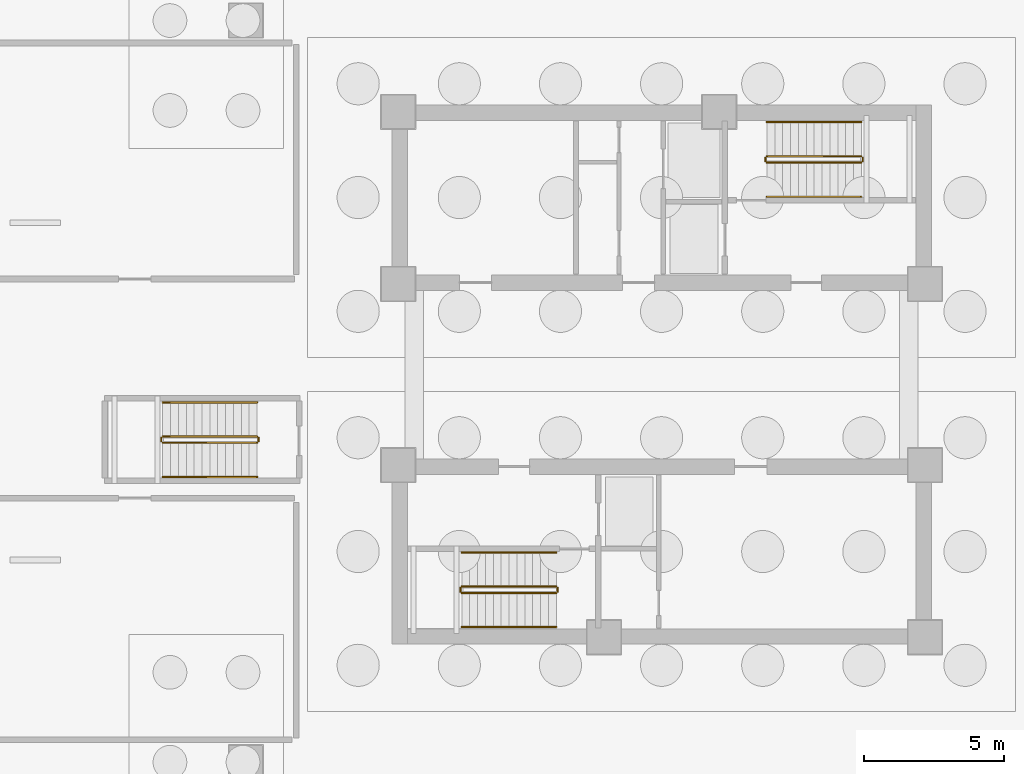
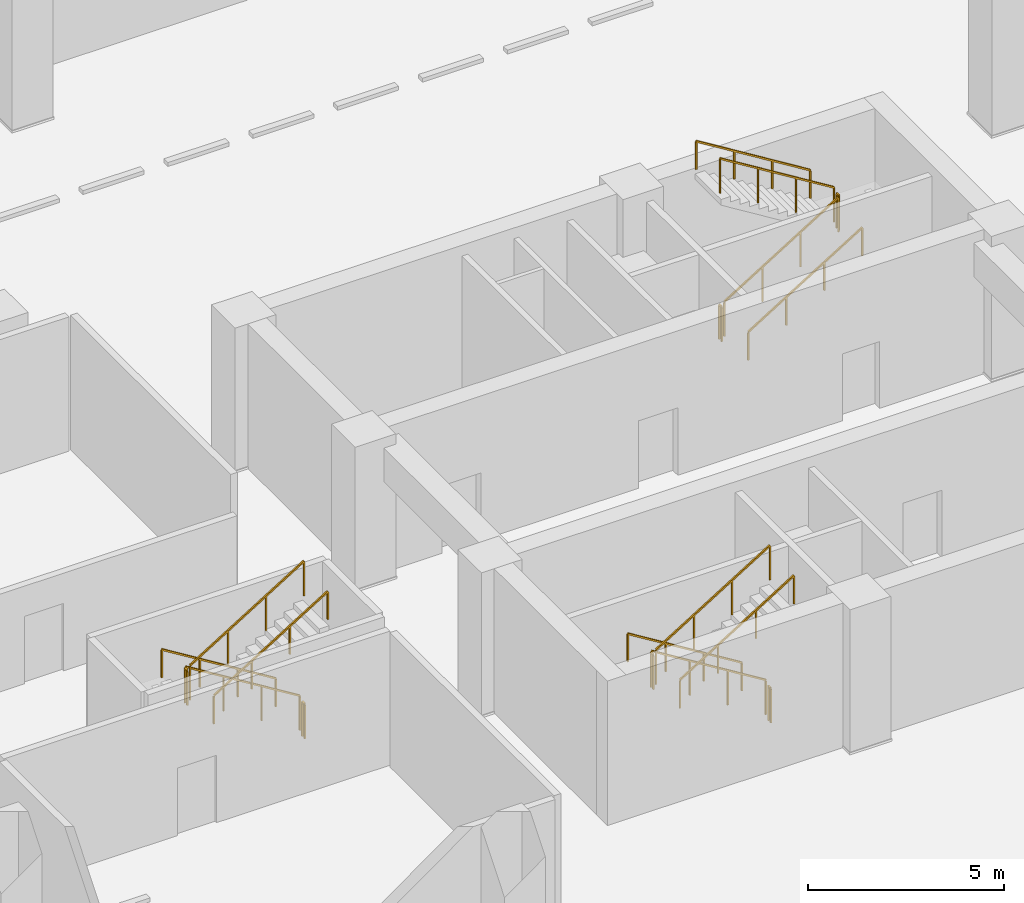
# One storey, part 6 of 8: 18 railings.
"""IFC4 building model written with IfcOpenShell, lengths in metres."""

from ifc_helpers import new_model, si_unit, direction, frame, origin, origin_2d, place, context, subcontext, project, spatial, rectangle, extrude, material, type_object, element, save


model = new_model("IFC4")

# Units and contexts
model_context = context("Model", 3, precision=1e-05, world=origin(), true_north=direction((0.0, 1.0)))
body_context = subcontext(model_context, "Body", "Model", "MODEL_VIEW")
ifc_project = project(units=[si_unit("LENGTHUNIT", "METRE"), si_unit("AREAUNIT", "SQUARE_METRE"), si_unit("VOLUMEUNIT", "CUBIC_METRE"), si_unit("PLANEANGLEUNIT", "RADIAN"), si_unit("MASSUNIT", "GRAM", prefix="KILO")], contexts=[model_context])

# Site, building, storey
site_placement = place(None, origin())
site = spatial("IfcSite", under=ifc_project, at=site_placement, CompositionType="ELEMENT")
building_placement = place(site_placement, origin())
building = spatial("IfcBuilding", under=site, at=building_placement, Name="Qhalaya Broadcast Tower", CompositionType="ELEMENT")
storey_placement = place(building_placement, frame((0.0, 0.0, -9.0)))
storey = spatial("IfcBuildingStorey", under=building, at=storey_placement, Name="B02", CompositionType="ELEMENT", Elevation=-9.0)

# Railings
ifc_material = material(Name="Powder-Coated Galvanised Steel", Category="steel")
railing_type_1 = type_object("IfcRailingType", Name="Stair Wall Handrail 900", PredefinedType="HANDRAIL", material=ifc_material)
railing_1_placement = place(storey_placement, frame((3.75, 6.929931640625, 0.173095703125)))
element("IfcRailing", 1, at=railing_1_placement, inside=storey, type_object=railing_type_1, Name="B02 ST-1 Stair Handrail 1", PredefinedType="HANDRAIL", context=body_context, shape_type="SweptSolid", body=[
    extrude(rectangle(XDim=0.048095703125, YDim=0.048095703125, at=origin_2d()), frame((0.0, 0.0, 0.8759765625), z_axis=(0.850623216509, 0.0, 0.525775754039), x_axis=(0.0, 1.0, 0.0)), (0.0, 0.0, 1.0), 3.9501953125),
    extrude(rectangle(XDim=0.0419921875, YDim=0.0419921875, at=origin_2d()), origin(), (0.0, 0.0, 1.0), 0.849853515625),
    extrude(rectangle(XDim=0.0419921875, YDim=0.0419921875, at=origin_2d()), frame((1.1201171875, 0.0, 0.6923828125)), (0.0, 0.0, 1.0), 0.849853515625),
    extrude(rectangle(XDim=0.0419921875, YDim=0.0419921875, at=origin_2d()), frame((2.239990234375, 0.0, 1.384521484375)), (0.0, 0.0, 1.0), 0.849853515625),
    extrude(rectangle(XDim=0.0419921875, YDim=0.0419921875, at=origin_2d()), frame((3.360107421875, 0.0, 2.076904296875)), (0.0, 0.0, 1.0), 0.849853515625),
])
for number, where, name in (
    (2, (7.110107421875, 9.590087890625, 2.423095703125), "B02 ST-1 Stair Handrail 2"),
    (3, (-3.75, -5.72998046875, 0.173095703125), "B02 ST-2 Stair Handrail 1"),
):
    element("IfcRailing", number, at=place(storey_placement, frame(where)), inside=storey, type_object=railing_type_1, Name=name, PredefinedType="HANDRAIL", context=body_context, shape_type="SweptSolid", body=[
        extrude(rectangle(XDim=0.048095703125, YDim=0.048095703125, at=origin_2d()), frame((0.0, 0.0, 0.8759765625), z_axis=(-0.850623216509, 0.0, 0.525775754039), x_axis=(0.0, -1.0, 0.0)), (0.0, 0.0, 1.0), 3.9501953125),
        extrude(rectangle(XDim=0.0419921875, YDim=0.0419921875, at=origin_2d()), origin(), (0.0, 0.0, 1.0), 0.849853515625),
        extrude(rectangle(XDim=0.0419921875, YDim=0.0419921875, at=origin_2d()), frame((-1.1201171875, 0.0, 0.6923828125)), (0.0, 0.0, 1.0), 0.849853515625),
        extrude(rectangle(XDim=0.0419921875, YDim=0.0419921875, at=origin_2d()), frame((-2.239990234375, 0.0, 1.384521484375)), (0.0, 0.0, 1.0), 0.849853515625),
        extrude(rectangle(XDim=0.0419921875, YDim=0.0419921875, at=origin_2d()), frame((-3.360107421875, 0.0, 2.076904296875)), (0.0, 0.0, 1.0), 0.849853515625),
    ])
railing_2_placement = place(storey_placement, frame((-7.110107421875, -8.389892578125, 2.423095703125)))
element("IfcRailing", 4, at=railing_2_placement, inside=storey, type_object=railing_type_1, Name="B02 ST-2 Stair Handrail 2", PredefinedType="HANDRAIL", context=body_context, shape_type="SweptSolid", body=[
    extrude(rectangle(XDim=0.048095703125, YDim=0.048095703125, at=origin_2d()), frame((0.0, 0.0, 0.8759765625), z_axis=(0.850623216509, 0.0, 0.525775754039), x_axis=(0.0, 1.0, 0.0)), (0.0, 0.0, 1.0), 3.9501953125),
    extrude(rectangle(XDim=0.0419921875, YDim=0.0419921875, at=origin_2d()), origin(), (0.0, 0.0, 1.0), 0.849853515625),
    extrude(rectangle(XDim=0.0419921875, YDim=0.0419921875, at=origin_2d()), frame((1.1201171875, 0.0, 0.6923828125)), (0.0, 0.0, 1.0), 0.849853515625),
    extrude(rectangle(XDim=0.0419921875, YDim=0.0419921875, at=origin_2d()), frame((2.239990234375, 0.0, 1.384521484375)), (0.0, 0.0, 1.0), 0.849853515625),
    extrude(rectangle(XDim=0.0419921875, YDim=0.0419921875, at=origin_2d()), frame((3.360107421875, 0.0, 2.076904296875)), (0.0, 0.0, 1.0), 0.849853515625),
])
railing_3_placement = place(storey_placement, frame((-14.39990234375, -0.389892578125, 0.173095703125)))
element("IfcRailing", 5, at=railing_3_placement, inside=storey, type_object=railing_type_1, Name="B02 ST-P1 Stair Handrail 1", PredefinedType="HANDRAIL", context=body_context, shape_type="SweptSolid", body=[
    extrude(rectangle(XDim=0.048095703125, YDim=0.048095703125, at=origin_2d()), frame((0.0, 0.0, 0.8759765625), z_axis=(-0.850623216509, 0.0, 0.525775754039), x_axis=(0.0, -1.0, 0.0)), (0.0, 0.0, 1.0), 3.9501953125),
    extrude(rectangle(XDim=0.0419921875, YDim=0.0419921875, at=origin_2d()), origin(), (0.0, 0.0, 1.0), 0.849853515625),
    extrude(rectangle(XDim=0.0419921875, YDim=0.0419921875, at=origin_2d()), frame((-1.1201171875, 0.0, 0.6923828125)), (0.0, 0.0, 1.0), 0.849853515625),
    extrude(rectangle(XDim=0.0419921875, YDim=0.0419921875, at=origin_2d()), frame((-2.239990234375, 0.0, 1.384521484375)), (0.0, 0.0, 1.0), 0.849853515625),
    extrude(rectangle(XDim=0.0419921875, YDim=0.0419921875, at=origin_2d()), frame((-3.360107421875, 0.0, 2.076904296875)), (0.0, 0.0, 1.0), 0.849853515625),
])
railing_4_placement = place(storey_placement, frame((-17.760009765625, -3.050048828125, 2.423095703125)))
element("IfcRailing", 6, at=railing_4_placement, inside=storey, type_object=railing_type_1, Name="B02 ST-P1 Stair Handrail 2", PredefinedType="HANDRAIL", context=body_context, shape_type="SweptSolid", body=[
    extrude(rectangle(XDim=0.048095703125, YDim=0.048095703125, at=origin_2d()), frame((0.0, 0.0, 0.8759765625), z_axis=(0.850623216509, 0.0, 0.525775754039), x_axis=(0.0, 1.0, 0.0)), (0.0, 0.0, 1.0), 3.9501953125),
    extrude(rectangle(XDim=0.0419921875, YDim=0.0419921875, at=origin_2d()), origin(), (0.0, 0.0, 1.0), 0.849853515625),
    extrude(rectangle(XDim=0.0419921875, YDim=0.0419921875, at=origin_2d()), frame((1.1201171875, 0.0, 0.6923828125)), (0.0, 0.0, 1.0), 0.849853515625),
    extrude(rectangle(XDim=0.0419921875, YDim=0.0419921875, at=origin_2d()), frame((2.239990234375, 0.0, 1.384521484375)), (0.0, 0.0, 1.0), 0.849853515625),
    extrude(rectangle(XDim=0.0419921875, YDim=0.0419921875, at=origin_2d()), frame((3.360107421875, 0.0, 2.076904296875)), (0.0, 0.0, 1.0), 0.849853515625),
])
railing_type_2 = type_object("IfcRailingType", Name="Stair Well & Landing Guardrail 1100", PredefinedType="GUARDRAIL", material=ifc_material)
railing_5_placement = place(storey_placement, frame((3.75, 8.14990234375, 0.173095703125)))
element("IfcRailing", 7, at=railing_5_placement, inside=storey, type_object=railing_type_2, Name="B02 ST-1 Stair Guard 1", PredefinedType="GUARDRAIL", context=body_context, shape_type="SweptSolid", body=[
    extrude(rectangle(XDim=0.048095703125, YDim=0.048095703125, at=origin_2d()), frame((0.0, 0.0, 1.076171875), z_axis=(0.850623216509, 0.0, 0.525775754039), x_axis=(0.0, 1.0, 0.0)), (0.0, 0.0, 1.0), 3.9501953125),
    extrude(rectangle(XDim=0.0419921875, YDim=0.0419921875, at=origin_2d()), origin(), (0.0, 0.0, 1.0), 1.050048828125),
    extrude(rectangle(XDim=0.0419921875, YDim=0.0419921875, at=origin_2d()), frame((1.1201171875, 0.0, 0.6923828125)), (0.0, 0.0, 1.0), 1.050048828125),
    extrude(rectangle(XDim=0.0419921875, YDim=0.0419921875, at=origin_2d()), frame((2.239990234375, 0.0, 1.384521484375)), (0.0, 0.0, 1.0), 1.050048828125),
    extrude(rectangle(XDim=0.0419921875, YDim=0.0419921875, at=origin_2d()), frame((3.360107421875, 0.0, 2.076904296875)), (0.0, 0.0, 1.0), 1.050048828125),
])
railing_6_placement = place(storey_placement, frame((7.159912109375, 8.199951171875, 2.25)))
element("IfcRailing", 8, at=railing_6_placement, inside=storey, type_object=railing_type_2, Name="B02 ST-1 Stair Guard 2", PredefinedType="GUARDRAIL", context=body_context, shape_type="SweptSolid", body=[
    extrude(rectangle(XDim=0.048095703125, YDim=0.048095703125, at=origin_2d()), frame((0.0, 0.0, 1.076171875), z_axis=(0.0, 1.0, 0.0), x_axis=(-1.0, 0.0, 0.0)), (0.0, 0.0, 1.0), 0.1201171875),
    extrude(rectangle(XDim=0.0419921875, YDim=0.0419921875, at=origin_2d()), origin(), (0.0, 0.0, 1.0), 1.050048828125),
    extrude(rectangle(XDim=0.0419921875, YDim=0.0419921875, at=origin_2d()), frame((0.0, 0.1201171875, 0.0)), (0.0, 0.0, 1.0), 1.050048828125),
])
railing_7_placement = place(storey_placement, frame((7.110107421875, 8.3701171875, 2.423095703125)))
element("IfcRailing", 9, at=railing_7_placement, inside=storey, type_object=railing_type_2, Name="B02 ST-1 Stair Guard 3", PredefinedType="GUARDRAIL", context=body_context, shape_type="SweptSolid", body=[
    extrude(rectangle(XDim=0.048095703125, YDim=0.048095703125, at=origin_2d()), frame((0.0, 0.0, 1.076171875), z_axis=(-0.850623216509, 0.0, 0.525775754039), x_axis=(0.0, -1.0, 0.0)), (0.0, 0.0, 1.0), 3.9501953125),
    extrude(rectangle(XDim=0.0419921875, YDim=0.0419921875, at=origin_2d()), origin(), (0.0, 0.0, 1.0), 1.050048828125),
    extrude(rectangle(XDim=0.0419921875, YDim=0.0419921875, at=origin_2d()), frame((-1.1201171875, 0.0, 0.6923828125)), (0.0, 0.0, 1.0), 1.050048828125),
    extrude(rectangle(XDim=0.0419921875, YDim=0.0419921875, at=origin_2d()), frame((-2.239990234375, 0.0, 1.384521484375)), (0.0, 0.0, 1.0), 1.050048828125),
    extrude(rectangle(XDim=0.0419921875, YDim=0.0419921875, at=origin_2d()), frame((-3.360107421875, 0.0, 2.076904296875)), (0.0, 0.0, 1.0), 1.050048828125),
])
railing_8_placement = place(storey_placement, frame((3.699951171875, 8.199951171875, 0.0)))
element("IfcRailing", 10, at=railing_8_placement, inside=storey, type_object=railing_type_2, Name="B02 ST-1 Stair Guard 4", PredefinedType="GUARDRAIL", context=body_context, shape_type="SweptSolid", body=[
    extrude(rectangle(XDim=0.048095703125, YDim=0.048095703125, at=origin_2d()), frame((0.0, 0.0, 1.076171875), z_axis=(0.0, 1.0, 0.0), x_axis=(-1.0, 0.0, 0.0)), (0.0, 0.0, 1.0), 0.1201171875),
    extrude(rectangle(XDim=0.0419921875, YDim=0.0419921875, at=origin_2d()), origin(), (0.0, 0.0, 1.0), 1.050048828125),
    extrude(rectangle(XDim=0.0419921875, YDim=0.0419921875, at=origin_2d()), frame((0.0, 0.1201171875, 0.0)), (0.0, 0.0, 1.0), 1.050048828125),
])
railing_9_placement = place(storey_placement, frame((-3.75, -6.949951171875, 0.173095703125)))
element("IfcRailing", 11, at=railing_9_placement, inside=storey, type_object=railing_type_2, Name="B02 ST-2 Stair Guard 1", PredefinedType="GUARDRAIL", context=body_context, shape_type="SweptSolid", body=[
    extrude(rectangle(XDim=0.048095703125, YDim=0.048095703125, at=origin_2d()), frame((0.0, 0.0, 1.076171875), z_axis=(-0.850623216509, 0.0, 0.525775754039), x_axis=(0.0, -1.0, 0.0)), (0.0, 0.0, 1.0), 3.9501953125),
    extrude(rectangle(XDim=0.0419921875, YDim=0.0419921875, at=origin_2d()), origin(), (0.0, 0.0, 1.0), 1.050048828125),
    extrude(rectangle(XDim=0.0419921875, YDim=0.0419921875, at=origin_2d()), frame((-1.1201171875, 0.0, 0.6923828125)), (0.0, 0.0, 1.0), 1.050048828125),
    extrude(rectangle(XDim=0.0419921875, YDim=0.0419921875, at=origin_2d()), frame((-2.239990234375, 0.0, 1.384521484375)), (0.0, 0.0, 1.0), 1.050048828125),
    extrude(rectangle(XDim=0.0419921875, YDim=0.0419921875, at=origin_2d()), frame((-3.360107421875, 0.0, 2.076904296875)), (0.0, 0.0, 1.0), 1.050048828125),
])
railing_10_placement = place(storey_placement, frame((-7.159912109375, -7.0, 2.25)))
element("IfcRailing", 12, at=railing_10_placement, inside=storey, type_object=railing_type_2, Name="B02 ST-2 Stair Guard 2", PredefinedType="GUARDRAIL", context=body_context, shape_type="SweptSolid", body=[
    extrude(rectangle(XDim=0.048095703125, YDim=0.048095703125, at=origin_2d()), frame((0.0, 0.0, 1.076171875), z_axis=(0.0, -1.0, 0.0), x_axis=(1.0, 0.0, 0.0)), (0.0, 0.0, 1.0), 0.1201171875),
    extrude(rectangle(XDim=0.0419921875, YDim=0.0419921875, at=origin_2d()), origin(), (0.0, 0.0, 1.0), 1.050048828125),
    extrude(rectangle(XDim=0.0419921875, YDim=0.0419921875, at=origin_2d()), frame((0.0, -0.1201171875, 0.0)), (0.0, 0.0, 1.0), 1.050048828125),
])
railing_11_placement = place(storey_placement, frame((-7.110107421875, -7.169921875, 2.423095703125)))
element("IfcRailing", 13, at=railing_11_placement, inside=storey, type_object=railing_type_2, Name="B02 ST-2 Stair Guard 3", PredefinedType="GUARDRAIL", context=body_context, shape_type="SweptSolid", body=[
    extrude(rectangle(XDim=0.048095703125, YDim=0.048095703125, at=origin_2d()), frame((0.0, 0.0, 1.076171875), z_axis=(0.850623216509, 0.0, 0.525775754039), x_axis=(0.0, 1.0, 0.0)), (0.0, 0.0, 1.0), 3.9501953125),
    extrude(rectangle(XDim=0.0419921875, YDim=0.0419921875, at=origin_2d()), origin(), (0.0, 0.0, 1.0), 1.050048828125),
    extrude(rectangle(XDim=0.0419921875, YDim=0.0419921875, at=origin_2d()), frame((1.1201171875, 0.0, 0.6923828125)), (0.0, 0.0, 1.0), 1.050048828125),
    extrude(rectangle(XDim=0.0419921875, YDim=0.0419921875, at=origin_2d()), frame((2.239990234375, 0.0, 1.384521484375)), (0.0, 0.0, 1.0), 1.050048828125),
    extrude(rectangle(XDim=0.0419921875, YDim=0.0419921875, at=origin_2d()), frame((3.360107421875, 0.0, 2.076904296875)), (0.0, 0.0, 1.0), 1.050048828125),
])
railing_12_placement = place(storey_placement, frame((-3.699951171875, -7.0, 0.0)))
element("IfcRailing", 14, at=railing_12_placement, inside=storey, type_object=railing_type_2, Name="B02 ST-2 Stair Guard 4", PredefinedType="GUARDRAIL", context=body_context, shape_type="SweptSolid", body=[
    extrude(rectangle(XDim=0.048095703125, YDim=0.048095703125, at=origin_2d()), frame((0.0, 0.0, 1.076171875), z_axis=(0.0, -1.0, 0.0), x_axis=(1.0, 0.0, 0.0)), (0.0, 0.0, 1.0), 0.1201171875),
    extrude(rectangle(XDim=0.0419921875, YDim=0.0419921875, at=origin_2d()), origin(), (0.0, 0.0, 1.0), 1.050048828125),
    extrude(rectangle(XDim=0.0419921875, YDim=0.0419921875, at=origin_2d()), frame((0.0, -0.1201171875, 0.0)), (0.0, 0.0, 1.0), 1.050048828125),
])
railing_13_placement = place(storey_placement, frame((-14.39990234375, -1.610107421875, 0.173095703125)))
element("IfcRailing", 15, at=railing_13_placement, inside=storey, type_object=railing_type_2, Name="B02 ST-P1 Stair Guard 1", PredefinedType="GUARDRAIL", context=body_context, shape_type="SweptSolid", body=[
    extrude(rectangle(XDim=0.048095703125, YDim=0.048095703125, at=origin_2d()), frame((0.0, 0.0, 1.076171875), z_axis=(-0.850623216509, 0.0, 0.525775754039), x_axis=(0.0, -1.0, 0.0)), (0.0, 0.0, 1.0), 3.9501953125),
    extrude(rectangle(XDim=0.0419921875, YDim=0.0419921875, at=origin_2d()), origin(), (0.0, 0.0, 1.0), 1.050048828125),
    extrude(rectangle(XDim=0.0419921875, YDim=0.0419921875, at=origin_2d()), frame((-1.1201171875, 0.0, 0.6923828125)), (0.0, 0.0, 1.0), 1.050048828125),
    extrude(rectangle(XDim=0.0419921875, YDim=0.0419921875, at=origin_2d()), frame((-2.239990234375, 0.0, 1.384521484375)), (0.0, 0.0, 1.0), 1.050048828125),
    extrude(rectangle(XDim=0.0419921875, YDim=0.0419921875, at=origin_2d()), frame((-3.360107421875, 0.0, 2.076904296875)), (0.0, 0.0, 1.0), 1.050048828125),
])
railing_14_placement = place(storey_placement, frame((-17.81005859375, -1.659912109375, 2.25)))
element("IfcRailing", 16, at=railing_14_placement, inside=storey, type_object=railing_type_2, Name="B02 ST-P1 Stair Guard 2", PredefinedType="GUARDRAIL", context=body_context, shape_type="SweptSolid", body=[
    extrude(rectangle(XDim=0.048095703125, YDim=0.048095703125, at=origin_2d()), frame((0.0, 0.0, 1.076171875), z_axis=(0.0, -1.0, 0.0), x_axis=(1.0, 0.0, 0.0)), (0.0, 0.0, 1.0), 0.1201171875),
    extrude(rectangle(XDim=0.0419921875, YDim=0.0419921875, at=origin_2d()), origin(), (0.0, 0.0, 1.0), 1.050048828125),
    extrude(rectangle(XDim=0.0419921875, YDim=0.0419921875, at=origin_2d()), frame((0.0, -0.1201171875, 0.0)), (0.0, 0.0, 1.0), 1.050048828125),
])
railing_15_placement = place(storey_placement, frame((-17.760009765625, -1.830078125, 2.423095703125)))
element("IfcRailing", 17, at=railing_15_placement, inside=storey, type_object=railing_type_2, Name="B02 ST-P1 Stair Guard 3", PredefinedType="GUARDRAIL", context=body_context, shape_type="SweptSolid", body=[
    extrude(rectangle(XDim=0.048095703125, YDim=0.048095703125, at=origin_2d()), frame((0.0, 0.0, 1.076171875), z_axis=(0.850623216509, 0.0, 0.525775754039), x_axis=(0.0, 1.0, 0.0)), (0.0, 0.0, 1.0), 3.9501953125),
    extrude(rectangle(XDim=0.0419921875, YDim=0.0419921875, at=origin_2d()), origin(), (0.0, 0.0, 1.0), 1.050048828125),
    extrude(rectangle(XDim=0.0419921875, YDim=0.0419921875, at=origin_2d()), frame((1.1201171875, 0.0, 0.6923828125)), (0.0, 0.0, 1.0), 1.050048828125),
    extrude(rectangle(XDim=0.0419921875, YDim=0.0419921875, at=origin_2d()), frame((2.239990234375, 0.0, 1.384521484375)), (0.0, 0.0, 1.0), 1.050048828125),
    extrude(rectangle(XDim=0.0419921875, YDim=0.0419921875, at=origin_2d()), frame((3.360107421875, 0.0, 2.076904296875)), (0.0, 0.0, 1.0), 1.050048828125),
])
railing_16_placement = place(storey_placement, frame((-14.35009765625, -1.659912109375, 0.0)))
element("IfcRailing", 18, at=railing_16_placement, inside=storey, type_object=railing_type_2, Name="B02 ST-P1 Stair Guard 4", PredefinedType="GUARDRAIL", context=body_context, shape_type="SweptSolid", body=[
    extrude(rectangle(XDim=0.048095703125, YDim=0.048095703125, at=origin_2d()), frame((0.0, 0.0, 1.076171875), z_axis=(0.0, -1.0, 0.0), x_axis=(1.0, 0.0, 0.0)), (0.0, 0.0, 1.0), 0.1201171875),
    extrude(rectangle(XDim=0.0419921875, YDim=0.0419921875, at=origin_2d()), origin(), (0.0, 0.0, 1.0), 1.050048828125),
    extrude(rectangle(XDim=0.0419921875, YDim=0.0419921875, at=origin_2d()), frame((0.0, -0.1201171875, 0.0)), (0.0, 0.0, 1.0), 1.050048828125),
])

save(model, "model.ifc")
